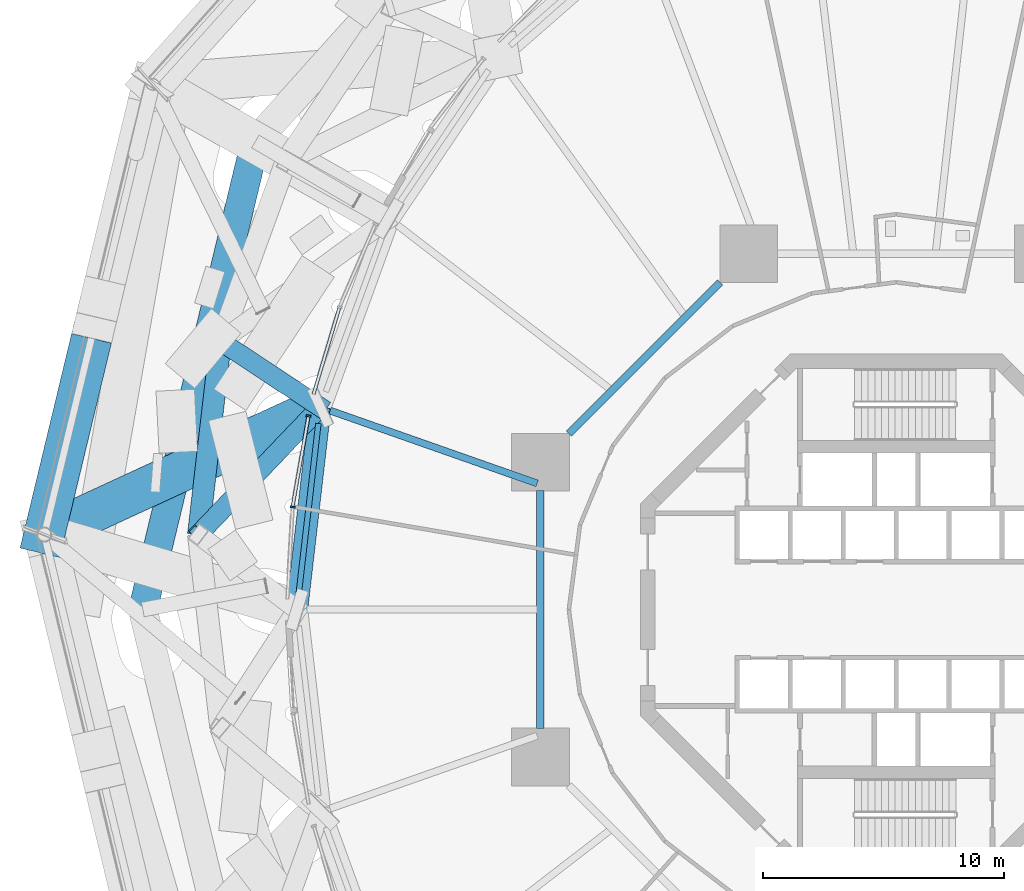
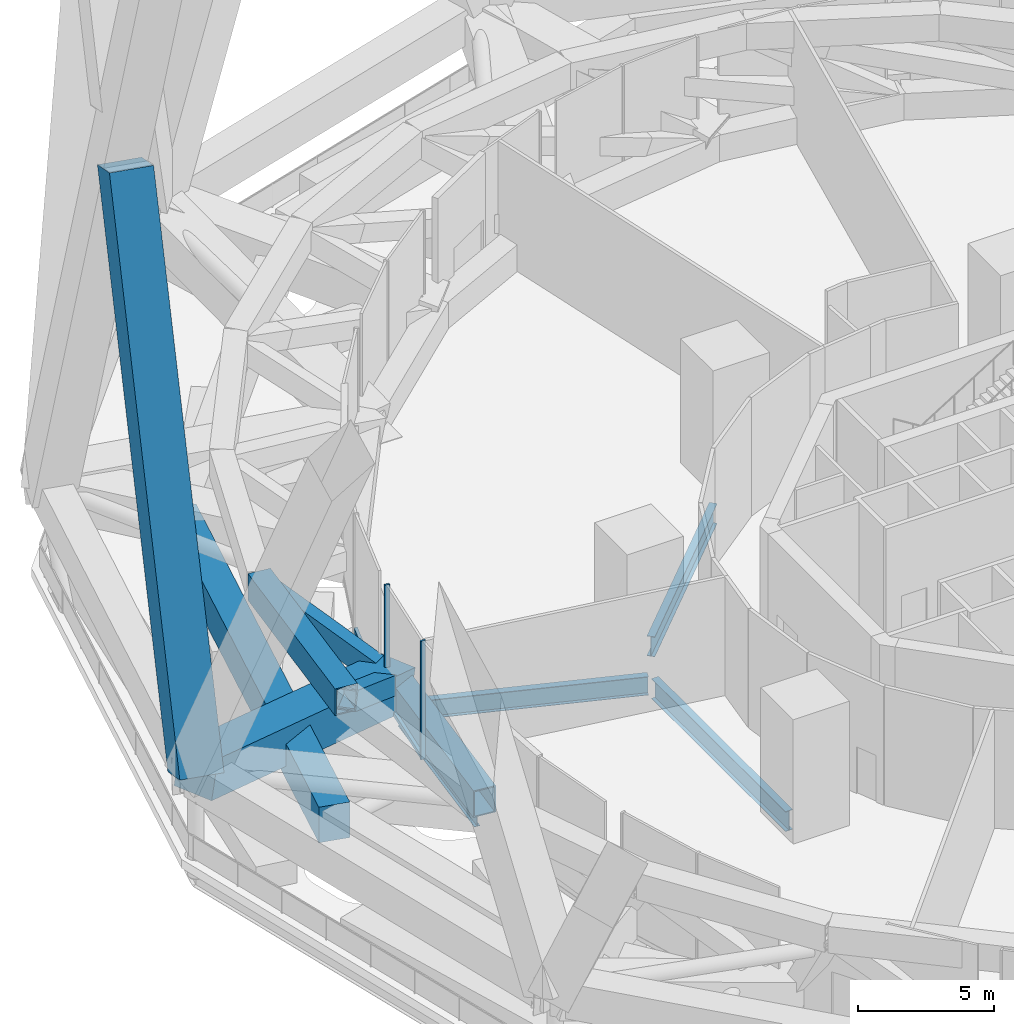
# One storey, part 17 of 51: 8 beams, 7 members, 3 elements without a shape of their own.
"""IFC4 building model written with IfcOpenShell, lengths in metres."""

from ifc_helpers import new_model, si_unit, direction, frame, origin, origin_2d, place, context, subcontext, project, spatial, rectangle, hollow_rectangle, i_section, extrude, material, layer, layer_set, material_profile, profile_set, type_object, element, aggregate, save


model = new_model("IFC4")

# Units and contexts
model_context = context("Model", 3, precision=1e-05, world=origin(), true_north=direction((0.0, 1.0)))
body_context = subcontext(model_context, "Body", "Model", "MODEL_VIEW")
ifc_project = project(units=[si_unit("LENGTHUNIT", "METRE"), si_unit("AREAUNIT", "SQUARE_METRE"), si_unit("VOLUMEUNIT", "CUBIC_METRE"), si_unit("PLANEANGLEUNIT", "RADIAN"), si_unit("MASSUNIT", "GRAM", prefix="KILO")], contexts=[model_context])

# Site, building, storey
site_placement = place(None, origin())
site = spatial("IfcSite", under=ifc_project, at=site_placement, CompositionType="ELEMENT")
building_placement = place(site_placement, origin())
building = spatial("IfcBuilding", under=site, at=building_placement, Name="Nagisa Residences", CompositionType="ELEMENT")
storey_placement = place(building_placement, frame((0.0, 0.0, 67.699951171875)))
storey = spatial("IfcBuildingStorey", under=building, at=storey_placement, Name="L16", CompositionType="ELEMENT", Elevation=67.699951171875)

# Beams
ifc_material_1 = material(Name="Steel ASTM A572 Gr 50", Category="steel")
ifc_material_profile_1 = material_profile(ifc_material_1, hollow_rectangle(XDim=0.89990234375, YDim=1.199951171875, WallThickness=0.050048828125, at=origin_2d()), Name="BX 900x1200x50")
ifc_profile_set_1 = profile_set([ifc_material_profile_1], Name="Steel ASTM A572 Gr 50")
beam_type_1 = type_object("IfcBeamType", Name="Belt chord 1 BX 900x1200x50", PredefinedType="BEAM", material=ifc_profile_set_1)
beam_1_placement = place(storey_placement, frame((-23.928955078125, 8.41162109375, 0.60009765625), z_axis=(-0.114667883158, -0.993403883912, 0.0), x_axis=(0.993403883912, -0.114667883158, 0.0)))
element("IfcBeam", 1, at=beam_1_placement, inside=storey, type_object=beam_type_1, Name="beam:L16:bt1b12", PredefinedType="BEAM", context=body_context, shape_type="SweptSolid", body=[
    extrude(hollow_rectangle(XDim=0.89990234375, YDim=1.199951171875, WallThickness=0.050048828125, at=origin_2d()), origin(), (0.0, 0.0, 1.0), 8.467529296875),
])
beam_2_placement = place(storey_placement, frame((-28.068359375, 11.14501953125, 4.739990234375), z_axis=(-0.114688326787, -0.993401523906, 0.0), x_axis=(0.993401523906, -0.114688326787, 0.0)))
element("IfcBeam", 2, at=beam_2_placement, inside=storey, type_object=beam_type_1, Name="beam:L16:bt1t12", PredefinedType="BEAM", context=body_context, shape_type="SweptSolid", body=[
    extrude(hollow_rectangle(XDim=0.89990234375, YDim=1.199951171875, WallThickness=0.050048828125, at=origin_2d()), origin(), (0.0, 0.0, 1.0), 8.08056640625),
])
ifc_material_2 = material(Name="Steel ASTM A572 Gr 50", Category="steel")
ifc_material_profile_2 = material_profile(ifc_material_2, hollow_rectangle(XDim=0.800048828125, YDim=0.800048828125, WallThickness=0.044921875, at=origin_2d()), Name="BX 800x800x45")
ifc_profile_set_2 = profile_set([ifc_material_profile_2], Name="Steel ASTM A572 Gr 50")
beam_type_2 = type_object("IfcBeamType", Name="Belt diagonal 1 BX 800x800x45", PredefinedType="BEAM", material=ifc_profile_set_2)
beam_3_placement = place(storey_placement, frame((-23.928955078125, 8.41162109375, 0.60009765625), z_axis=(-0.640672992991, 0.423059559394, 0.640748566332), x_axis=(-0.551037609069, -0.834480409232, 0.0)))
element("IfcBeam", 3, at=beam_3_placement, inside=storey, type_object=beam_type_2, Name="beam:L16:bt1da12", PredefinedType="BEAM", context=body_context, shape_type="SweptSolid", body=[
    extrude(hollow_rectangle(XDim=0.800048828125, YDim=0.800048828125, WallThickness=0.044921875, at=origin_2d()), origin(), (0.0, 0.0, 1.0), 6.4609375),
])
beam_4_placement = place(storey_placement, frame((-23.928955078125, 8.41162109375, 0.60009765625), z_axis=(-0.601961514486, -0.629026720645, 0.49190214453), x_axis=(0.722479026906, -0.691392837453, 0.0)))
element("IfcBeam", 4, at=beam_4_placement, inside=storey, type_object=beam_type_2, Name="beam:L16:bt1db12", PredefinedType="BEAM", context=body_context, shape_type="SweptSolid", body=[
    extrude(hollow_rectangle(XDim=0.800048828125, YDim=0.800048828125, WallThickness=0.044921875, at=origin_2d()), origin(), (0.0, 0.0, 1.0), 8.416015625),
])

# Curtain wall, member
ifc_material_3 = material(Name="Aluminium curtain wall system", Category="aluminium")
ifc_layer = layer(ifc_material_3, 0.159912109375)
ifc_layer_set = layer_set([ifc_layer], Name="CW2 CURTAIN WALL")
curtain_wall_type = type_object("IfcCurtainWallType", Name="CW2 CURTAIN WALL", PredefinedType="NOTDEFINED", material=ifc_layer_set)
curtain_wall_1_placement = place(storey_placement, origin())
curtain_wall_1 = element("IfcCurtainWall", 5, at=curtain_wall_1_placement, inside=storey, type_object=curtain_wall_type, Name="cw:CW2:L16:22", PredefinedType="NOTDEFINED")
ifc_material_4 = material(Name="Aluminium", Category="aluminium")
ifc_material_profile_3 = material_profile(ifc_material_4, rectangle(XDim=0.199951171875, YDim=0.080078125, at=origin_2d()), Name="CW2 MULLION 200x80")
ifc_profile_set_3 = profile_set([ifc_material_profile_3], Name="Aluminium")
member_type_1 = type_object("IfcMemberType", Name="CW2 MULLION 200x80", PredefinedType="MULLION", material=ifc_profile_set_3)
member_1_placement = place(storey_placement, frame((-24.41748046875, 8.044677734375, 0.0), z_axis=(0.0, 0.0, 1.0), x_axis=(0.985063604377, -0.172190868898, 0.0)))
member_1 = element("IfcMember", 6, at=member_1_placement, type_object=member_type_1, Name="CW2 mullion", PredefinedType="MULLION", context=body_context, shape_type="SweptSolid", body=[
    extrude(rectangle(XDim=0.199951171875, YDim=0.080078125, at=origin_2d()), origin(), (0.0, 0.0, 1.0), 5.340087890625),
])

curtain_wall_2_placement = place(storey_placement, origin())
curtain_wall_2 = element("IfcCurtainWall", 7, at=curtain_wall_2_placement, inside=storey, type_object=curtain_wall_type, Name="cw:CW2:L16:23", PredefinedType="NOTDEFINED")
member_2_placement = place(storey_placement, frame((-25.07421875, 4.262939453125, 0.0), z_axis=(0.0, 0.0, 1.0), x_axis=(0.998345305184, -0.057503492216, 0.0)))
member_2 = element("IfcMember", 8, at=member_2_placement, type_object=member_type_1, Name="CW2 mullion", PredefinedType="MULLION", context=body_context, shape_type="SweptSolid", body=[
    extrude(rectangle(XDim=0.199951171875, YDim=0.080078125, at=origin_2d()), origin(), (0.0, 0.0, 1.0), 5.340087890625),
])
aggregate(curtain_wall_2, [member_2])

curtain_wall_3_placement = place(storey_placement, origin())
curtain_wall_3 = element("IfcCurtainWall", 9, at=curtain_wall_3_placement, inside=storey, type_object=curtain_wall_type, Name="cw:CW2:L16:21", PredefinedType="NOTDEFINED")
ifc_material_5 = material(Name="Aluminium", Category="aluminium")
ifc_material_profile_4 = material_profile(ifc_material_5, rectangle(XDim=0.139892578125, YDim=0.179931640625, at=origin_2d()), Name="CW2 TRANSOM 140x180")
ifc_profile_set_4 = profile_set([ifc_material_profile_4], Name="Aluminium")
member_type_2 = type_object("IfcMemberType", Name="CW2 TRANSOM 140x180", PredefinedType="USERDEFINED", material=ifc_profile_set_4)
member_3_placement = place(storey_placement, frame((-23.115966796875, 12.605712890625, 0.090087890625), z_axis=(-0.285832955611, -0.958279458972, 0.0), x_axis=(0.958279458972, -0.285832955611, 0.0)))
member_3 = element("IfcMember", 10, at=member_3_placement, type_object=member_type_2, Name="CW2 transom", ObjectType="TRANSOM", PredefinedType="USERDEFINED", context=body_context, shape_type="SweptSolid", body=[
    extrude(rectangle(XDim=0.139892578125, YDim=0.179931640625, at=origin_2d()), origin(), (0.0, 0.0, 1.0), 3.8154296875),
])
aggregate(curtain_wall_3, [member_3])

# Member
member_4_placement = place(storey_placement, frame((-24.41064453125, 8.083984375, 0.090087890625), z_axis=(-0.172141761283, -0.985072187214, 0.0), x_axis=(0.985072187214, -0.172141761283, 0.0)))
member_4 = element("IfcMember", 11, at=member_4_placement, type_object=member_type_2, Name="CW2 transom", ObjectType="TRANSOM", PredefinedType="USERDEFINED", context=body_context, shape_type="SweptSolid", body=[
    extrude(rectangle(XDim=0.139892578125, YDim=0.179931640625, at=origin_2d()), origin(), (0.0, 0.0, 1.0), 3.84765625),
])

aggregate(curtain_wall_1, [member_1, member_4])

# Members
ifc_material_6 = material(Name="Concrete C80", Category="concrete")
ifc_material_profile_5 = material_profile(ifc_material_6, rectangle(XDim=1.699951171875, YDim=1.699951171875, at=origin_2d()), Name="C80 1700x1700")
ifc_profile_set_5 = profile_set([ifc_material_profile_5], Name="Concrete C80")
member_type_3 = type_object("IfcMemberType", Name="Cage bracket 2 C80 1700x1700", PredefinedType="BRACE", material=ifc_profile_set_5)
member_5_placement = place(storey_placement, frame((-35.39501953125, 3.11767578125, 3.699951171875), z_axis=(0.881729570446, 0.407099414576, -0.238375819354), x_axis=(-0.41918321498, 0.907901664432, 0.0)))
element("IfcMember", 12, at=member_5_placement, inside=storey, type_object=member_type_3, Name="mem:L16:cg1ob08", PredefinedType="BRACE", context=body_context, shape_type="SweptSolid", body=[
    extrude(rectangle(XDim=1.699951171875, YDim=1.699951171875, at=origin_2d()), origin(), (0.0, 0.0, 1.0), 13.004150390625),
])
ifc_material_7 = material(Name="Concrete C80", Category="concrete")
ifc_material_profile_6 = material_profile(ifc_material_7, rectangle(XDim=1.699951171875, YDim=1.699951171875, at=origin_2d()), Name="C80 1700x1700")
ifc_profile_set_6 = profile_set([ifc_material_profile_6], Name="Concrete C80")
member_type_4 = type_object("IfcMemberType", Name="Cage diagonal 2 C80 1700x1700", PredefinedType="BRACE", material=ifc_profile_set_6)
member_6_placement = place(storey_placement, frame((-35.39501953125, 3.11767578125, 3.699951171875), z_axis=(0.092838857269, 0.385870089861, 0.917869936501), x_axis=(-0.972255617672, 0.233920956533, 0.0)))
element("IfcMember", 13, at=member_6_placement, inside=storey, type_object=member_type_4, Name="mem:L16:cg2d012a", PredefinedType="BRACE", context=body_context, shape_type="SweptSolid", body=[
    extrude(rectangle(XDim=1.699951171875, YDim=1.699951171875, at=origin_2d()), origin(), (0.0, 0.0, 1.0), 23.09423828125),
])
ifc_material_8 = material(Name="Concrete C80", Category="concrete")
ifc_material_profile_7 = material_profile(ifc_material_8, rectangle(XDim=1.199951171875, YDim=1.60009765625, at=origin_2d()), Name="C80 1200x1600")
ifc_profile_set_7 = profile_set([ifc_material_profile_7], Name="Concrete C80")
member_type_5 = type_object("IfcMemberType", Name="Cage ring 1 C80 1200x1600", PredefinedType="CHORD", material=ifc_profile_set_7)
member_7_placement = place(storey_placement, frame((-26.624267578125, 19.449951171875, 1.900146484375), z_axis=(-0.233741287483, -0.972298827792, 0.0), x_axis=(0.972298827792, -0.233741287483, 0.0)))
element("IfcMember", 14, at=member_7_placement, inside=storey, type_object=member_type_5, Name="beam:L16:cg1r206", PredefinedType="CHORD", context=body_context, shape_type="SweptSolid", body=[
    extrude(rectangle(XDim=1.199951171875, YDim=1.60009765625, at=origin_2d()), origin(), (0.0, 0.0, 1.0), 20.004150390625),
])

# Beams
ifc_material_9 = material(Name="Steel ASTM A572 Gr 50", Category="steel")
ifc_material_profile_8 = material_profile(ifc_material_9, i_section(OverallWidth=0.303955078125, OverallDepth=0.903076171875, WebThickness=0.01513671875, FlangeThickness=0.02001953125, at=origin_2d()), Name="W920x201")
ifc_profile_set_8 = profile_set([ifc_material_profile_8], Name="Steel ASTM A572 Gr 50")
beam_type_3 = type_object("IfcBeamType", Name="Inner ring beam W920x201", PredefinedType="BEAM", material=ifc_profile_set_8)
beam_5_placement = place(storey_placement, frame((-7.308837890625, 13.59619140625, -0.801513671875), z_axis=(-0.707106781187, -0.707106781187, 0.0), x_axis=(0.707106781187, -0.707106781187, 0.0)))
element("IfcBeam", 15, at=beam_5_placement, inside=storey, type_object=beam_type_3, Name="beam:L16:ib3", PredefinedType="BEAM", context=body_context, shape_type="SweptSolid", body=[
    extrude(i_section(OverallWidth=0.303955078125, OverallDepth=0.903076171875, WebThickness=0.01513671875, FlangeThickness=0.02001953125, at=origin_2d()), origin(), (0.0, 0.0, 1.0), 8.8916015625),
])
beam_6_placement = place(storey_placement, frame((-14.781982421875, 4.94287109375, -0.801513671875), z_axis=(0.0, -1.0, 0.0), x_axis=(1.0, 0.0, 0.0)))
element("IfcBeam", 16, at=beam_6_placement, inside=storey, type_object=beam_type_3, Name="beam:L16:ib4", PredefinedType="BEAM", context=body_context, shape_type="SweptSolid", body=[
    extrude(i_section(OverallWidth=0.303955078125, OverallDepth=0.903076171875, WebThickness=0.01513671875, FlangeThickness=0.02001953125, at=origin_2d()), origin(), (0.0, 0.0, 1.0), 9.8857421875),
])
ifc_material_10 = material(Name="Steel ASTM A572 Gr 50", Category="steel")
ifc_material_profile_9 = material_profile(ifc_material_10, i_section(OverallWidth=0.22900390625, OverallDepth=0.612060546875, WebThickness=0.011962890625, FlangeThickness=0.01953125, at=origin_2d()), Name="W610x125")
ifc_profile_set_9 = profile_set([ifc_material_profile_9], Name="Steel ASTM A572 Gr 50")
beam_type_4 = type_object("IfcBeamType", Name="Perimeter ring beam W610x125", PredefinedType="BEAM", material=ifc_profile_set_9)
beam_7_placement = place(storey_placement, frame((-24.00732421875, 7.7314453125, -0.656005859375), z_axis=(-0.114707660057, -0.993399291687, 0.0), x_axis=(0.993399291687, -0.114707660057, 0.0)))
element("IfcBeam", 17, at=beam_7_placement, inside=storey, type_object=beam_type_4, Name="beam:L16:pb12", PredefinedType="BEAM", context=body_context, shape_type="SweptSolid", body=[
    extrude(i_section(OverallWidth=0.22900390625, OverallDepth=0.612060546875, WebThickness=0.011962890625, FlangeThickness=0.01953125, at=origin_2d()), origin(), (0.0, 0.0, 1.0), 7.09814453125),
])
ifc_material_11 = material(Name="Steel ASTM A572 Gr 50", Category="steel")
ifc_material_profile_10 = material_profile(ifc_material_11, i_section(OverallWidth=0.2919921875, OverallDepth=0.8349609375, WebThickness=0.013916015625, FlangeThickness=0.018798828125, at=origin_2d()), Name="W840x176")
ifc_profile_set_10 = profile_set([ifc_material_profile_10], Name="Steel ASTM A572 Gr 50")
beam_type_5 = type_object("IfcBeamType", Name="Radial beam W840x176", PredefinedType="BEAM", material=ifc_profile_set_10)
beam_8_placement = place(storey_placement, frame((-23.520751953125, 8.26806640625, -0.767333984375), z_axis=(0.943413526471, -0.331618633482, 0.0), x_axis=(0.331618633482, 0.943413526471, 0.0)))
element("IfcBeam", 18, at=beam_8_placement, inside=storey, type_object=beam_type_5, Name="beam:L16:rb12", PredefinedType="BEAM", context=body_context, shape_type="SweptSolid", body=[
    extrude(i_section(OverallWidth=0.2919921875, OverallDepth=0.8349609375, WebThickness=0.013916015625, FlangeThickness=0.018798828125, at=origin_2d()), origin(), (0.0, 0.0, 1.0), 9.12158203125),
])

save(model, "model.ifc")
